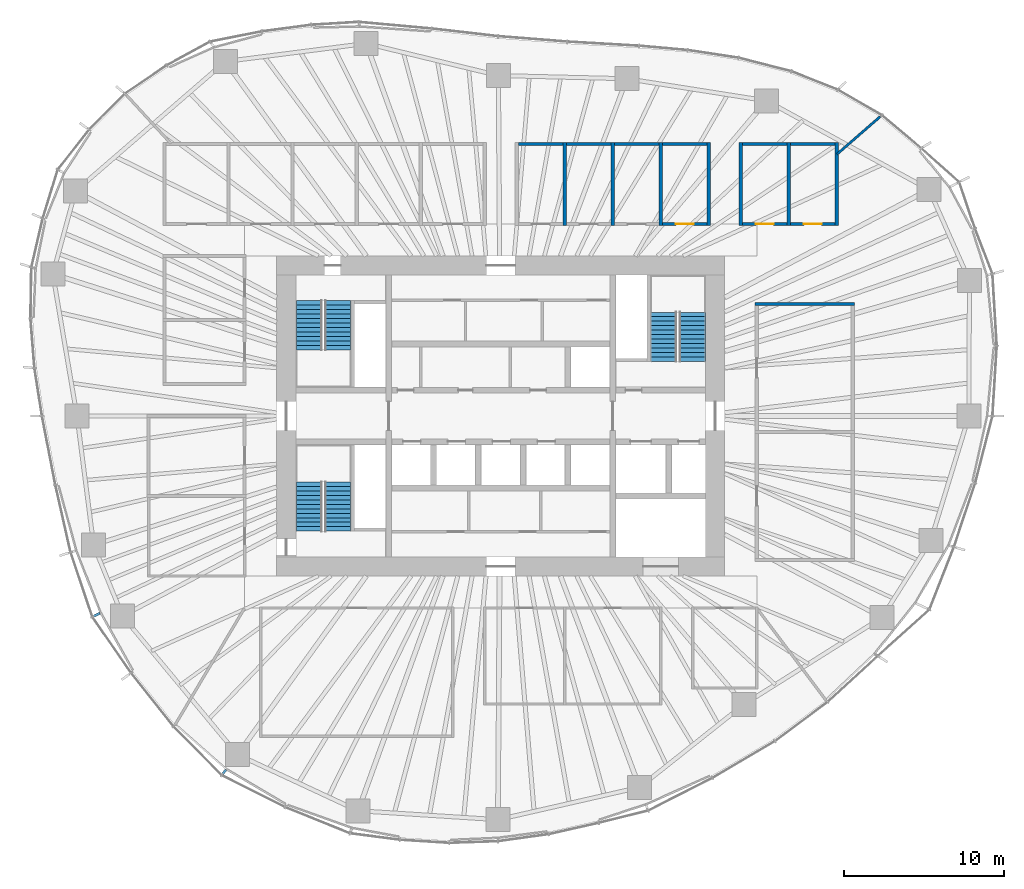
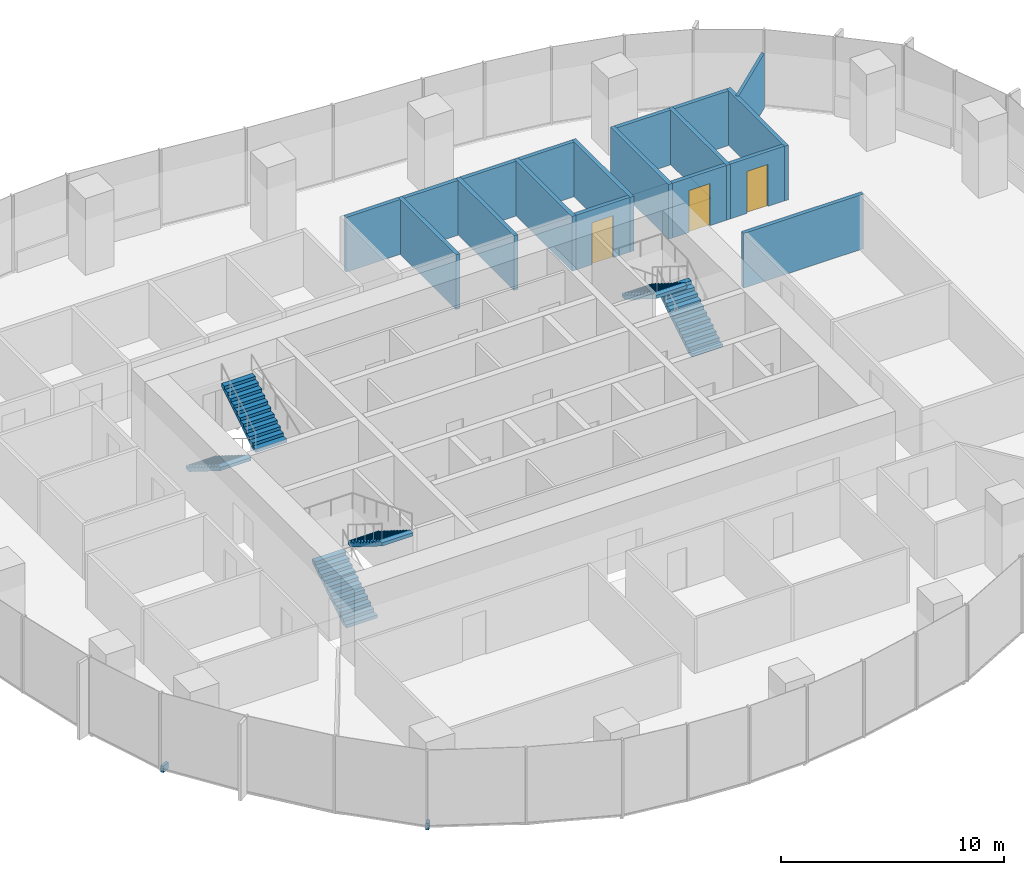
# One storey, part 11 of 18: 18 walls, 6 stair flights, 3 doors, 2 discrete accessories, 3 openings, 3 elements without a shape of their own.
"""IFC4 building model written with IfcOpenShell, lengths in metres."""

from ifc_helpers import new_model, si_unit, direction, frame, frame_2d, origin, origin_2d, place, context, subcontext, project, spatial, polyline, rectangle, outline, extrude, material, layer, layer_set, type_object, element, fill, aggregate, save


model = new_model("IFC4")

# Units and contexts
model_context = context("Model", 3, precision=1e-05, world=origin(), true_north=direction((0.0, 1.0)))
body_context = subcontext(model_context, "Body", "Model", "MODEL_VIEW")
ifc_project = project(units=[si_unit("LENGTHUNIT", "METRE"), si_unit("AREAUNIT", "SQUARE_METRE"), si_unit("VOLUMEUNIT", "CUBIC_METRE"), si_unit("PLANEANGLEUNIT", "RADIAN"), si_unit("MASSUNIT", "GRAM", prefix="KILO")], contexts=[model_context])

# Site, building, storey
site_placement = place(None, origin())
site = spatial("IfcSite", under=ifc_project, at=site_placement, CompositionType="ELEMENT")
building_placement = place(site_placement, origin())
building = spatial("IfcBuilding", under=site, at=building_placement, Name="Ghaith Harvest Tower", CompositionType="ELEMENT")
storey_placement = place(building_placement, frame((0.0, 0.0, 142.800048828125)))
storey = spatial("IfcBuildingStorey", under=building, at=storey_placement, Name="L30", CompositionType="ELEMENT", Elevation=142.800048828125)

# Walls
ifc_material_1 = material(Name="Twin-stud gypsum board, acoustic", Category="gypsum")
ifc_layer_1 = layer(ifc_material_1, 0.199951171875)
ifc_layer_set_1 = layer_set([ifc_layer_1], Name="ACOUSTIC PARTITION 200")
wall_type_1 = type_object("IfcWallType", Name="ACOUSTIC PARTITION 200", PredefinedType="PARTITIONING", material=ifc_layer_set_1)
for number, where, z_axis, x_axis, name in (
    (1, (4.0, 11.89990234375, 0.0), (0.0, 0.0, 1.0), (0.0, 1.0, 0.0), "Partition L30 row N4 cross wall 2"),
    (2, (7.0, 11.89990234375, 0.0), (0.0, 0.0, 1.0), (0.0, 1.0, 0.0), "Partition L30 row N4 cross wall 3"),
    (3, (10.0, 11.89990234375, 0.0), (0.0, 0.0, 1.0), (0.0, 1.0, 0.0), "Partition L30 row N4 cross wall 4"),
    (4, (13.0, 11.89990234375, 0.0), (0.0, 0.0, 1.0), (0.0, 1.0, 0.0), "Partition L30 row N4 cross wall 5"),
):
    element("IfcWall", number, at=place(storey_placement, frame(where, z_axis=z_axis, x_axis=x_axis)), inside=storey, type_object=wall_type_1, Name=name, PredefinedType="PARTITIONING", context=body_context, shape_type="SweptSolid", body=[
        extrude(rectangle(XDim=5.2001953125, YDim=0.199951171875, at=frame_2d((2.60009765625, 0.0))), origin(), (0.0, 0.0, 1.0), 3.0),
    ])
for number, where, z_axis, x_axis, name in (
    (5, (1.10009765625, 17.0, 0.0), (0.0, 0.0, 1.0), (1.0, 0.0, 0.0), "Partition L30-09"),
    (6, (4.10009765625, 17.0, 0.0), (0.0, 0.0, 1.0), (1.0, 0.0, 0.0), "Partition L30-10"),
    (7, (7.10009765625, 17.0, 0.0), (0.0, 0.0, 1.0), (1.0, 0.0, 0.0), "Partition L30-11"),
):
    element("IfcWall", number, at=place(storey_placement, frame(where, z_axis=z_axis, x_axis=x_axis)), inside=storey, type_object=wall_type_1, Name=name, PredefinedType="PARTITIONING", context=body_context, shape_type="SweptSolid", body=[
        extrude(rectangle(XDim=2.7998046875, YDim=0.199951171875, at=frame_2d((1.39990234375, 0.0))), origin(), (0.0, 0.0, 1.0), 3.0),
    ])

# Wall, opening, door
wall_1_placement = place(storey_placement, frame((10.10009765625, 12.0, 0.0), z_axis=(0.0, 0.0, 1.0), x_axis=(1.0, 0.0, 0.0)))
wall_1 = element("IfcWall", 8, at=wall_1_placement, inside=storey, type_object=wall_type_1, Name="Partition L30-12", PredefinedType="PARTITIONING", context=body_context, shape_type="SweptSolid", body=[
    extrude(rectangle(XDim=2.7998046875, YDim=0.199951171875, at=frame_2d((1.39990234375, 0.0))), origin(), (0.0, 0.0, 1.0), 3.0),
])
opening_1_placement = place(wall_1_placement, frame((0.85009765625, 0.0, 0.0)))
opening_1 = element("IfcOpeningElement", 9, at=opening_1_placement, cuts=wall_1, Name="Opening 30-037", PredefinedType="OPENING", context=body_context, shape_type="SweptSolid", body=[
    extrude(rectangle(XDim=1.10009765625, YDim=2.300048828125, at=frame_2d((0.550048828125, 1.14990234375))), frame((0.0, 0.10986328125, 0.0), z_axis=(0.0, -1.0, 0.0), x_axis=(1.0, 0.0, 0.0)), (0.0, 0.0, 1.0), 0.219970703125),
])
ifc_material_2 = material(Name="Timber-framed glazed door", Category="wood")
door_type = type_object("IfcDoorType", Name="D12 GLAZED OFFICE 1100x2300", OperationType="SINGLE_SWING_LEFT", PredefinedType="DOOR", material=ifc_material_2)
door_1_placement = place(opening_1_placement, origin())
door_1 = element("IfcDoor", 10, at=door_1_placement, inside=storey, type_object=door_type, Name="Focus room door", OperationType="SINGLE_SWING_LEFT", OverallHeight=2.300048828125, OverallWidth=1.10009765625, PredefinedType="DOOR", context=body_context, shape_type="SweptSolid", body=[
    extrude(rectangle(XDim=1.10009765625, YDim=2.300048828125, at=frame_2d((0.550048828125, 1.14990234375))), frame((0.0, 0.02490234375, 0.0), z_axis=(0.0, -1.0, 0.0), x_axis=(1.0, 0.0, 0.0)), (0.0, 0.0, 1.0), 0.050048828125),
])
fill(opening_1, door_1)

# Walls
wall_2_placement = place(storey_placement, frame((10.10009765625, 17.0, 0.0), z_axis=(0.0, 0.0, 1.0), x_axis=(1.0, 0.0, 0.0)))
element("IfcWall", 11, at=wall_2_placement, inside=storey, type_object=wall_type_1, Name="Partition L30-12", PredefinedType="PARTITIONING", context=body_context, shape_type="SweptSolid", body=[
    extrude(rectangle(XDim=2.7998046875, YDim=0.199951171875, at=frame_2d((1.39990234375, 0.0))), origin(), (0.0, 0.0, 1.0), 3.0),
])
wall_3_placement = place(storey_placement, frame((15.89990234375, 7.0, 0.0), z_axis=(0.0, 0.0, 1.0), x_axis=(1.0, 0.0, 0.0)))
element("IfcWall", 12, at=wall_3_placement, inside=storey, type_object=wall_type_1, Name="Partition L30 row E5 cross wall 3", PredefinedType="PARTITIONING", context=body_context, shape_type="SweptSolid", body=[
    extrude(rectangle(XDim=6.2001953125, YDim=0.199951171875, at=frame_2d((3.10009765625, 0.0))), origin(), (0.0, 0.0, 1.0), 3.0),
])
for number, where, z_axis, x_axis, name in (
    (13, (15.0, 11.89990234375, 0.0), (0.0, 0.0, 1.0), (0.0, 1.0, 0.0), "Partition L30 row N7 cross wall 1"),
    (14, (18.0, 11.89990234375, 0.0), (0.0, 0.0, 1.0), (0.0, 1.0, 0.0), "Partition L30 row N7 cross wall 2"),
    (15, (21.0, 11.89990234375, 0.0), (0.0, 0.0, 1.0), (0.0, 1.0, 0.0), "Partition L30 row N7 cross wall 3"),
):
    element("IfcWall", number, at=place(storey_placement, frame(where, z_axis=z_axis, x_axis=x_axis)), inside=storey, type_object=wall_type_1, Name=name, PredefinedType="PARTITIONING", context=body_context, shape_type="SweptSolid", body=[
        extrude(rectangle(XDim=5.2001953125, YDim=0.199951171875, at=frame_2d((2.60009765625, 0.0))), origin(), (0.0, 0.0, 1.0), 3.0),
    ])

# Wall, opening, door
wall_4_placement = place(storey_placement, frame((15.10009765625, 12.0, 0.0), z_axis=(0.0, 0.0, 1.0), x_axis=(1.0, 0.0, 0.0)))
wall_4 = element("IfcWall", 16, at=wall_4_placement, inside=storey, type_object=wall_type_1, Name="Partition L30-17", PredefinedType="PARTITIONING", context=body_context, shape_type="SweptSolid", body=[
    extrude(rectangle(XDim=2.7998046875, YDim=0.199951171875, at=frame_2d((1.39990234375, 0.0))), origin(), (0.0, 0.0, 1.0), 3.0),
])
opening_2_placement = place(wall_4_placement, frame((0.85009765625, 0.0, 0.0)))
opening_2 = element("IfcOpeningElement", 17, at=opening_2_placement, cuts=wall_4, Name="Opening 30-042", PredefinedType="OPENING", context=body_context, shape_type="SweptSolid", body=[
    extrude(rectangle(XDim=1.10009765625, YDim=2.300048828125, at=frame_2d((0.550048828125, 1.14990234375))), frame((0.0, 0.10986328125, 0.0), z_axis=(0.0, -1.0, 0.0), x_axis=(1.0, 0.0, 0.0)), (0.0, 0.0, 1.0), 0.219970703125),
])
door_2_placement = place(opening_2_placement, origin())
door_2 = element("IfcDoor", 18, at=door_2_placement, inside=storey, type_object=door_type, Name="Focus room door", OperationType="SINGLE_SWING_LEFT", OverallHeight=2.300048828125, OverallWidth=1.10009765625, PredefinedType="DOOR", context=body_context, shape_type="SweptSolid", body=[
    extrude(rectangle(XDim=1.10009765625, YDim=2.300048828125, at=frame_2d((0.550048828125, 1.14990234375))), frame((0.0, 0.02490234375, 0.0), z_axis=(0.0, -1.0, 0.0), x_axis=(1.0, 0.0, 0.0)), (0.0, 0.0, 1.0), 0.050048828125),
])
fill(opening_2, door_2)

# Wall
wall_5_placement = place(storey_placement, frame((15.10009765625, 17.0, 0.0), z_axis=(0.0, 0.0, 1.0), x_axis=(1.0, 0.0, 0.0)))
element("IfcWall", 19, at=wall_5_placement, inside=storey, type_object=wall_type_1, Name="Partition L30-17", PredefinedType="PARTITIONING", context=body_context, shape_type="SweptSolid", body=[
    extrude(rectangle(XDim=2.7998046875, YDim=0.199951171875, at=frame_2d((1.39990234375, 0.0))), origin(), (0.0, 0.0, 1.0), 3.0),
])

# Wall, opening, door
wall_6_placement = place(storey_placement, frame((18.10009765625, 12.0, 0.0), z_axis=(0.0, 0.0, 1.0), x_axis=(1.0, 0.0, 0.0)))
wall_6 = element("IfcWall", 20, at=wall_6_placement, inside=storey, type_object=wall_type_1, Name="Partition L30-18", PredefinedType="PARTITIONING", context=body_context, shape_type="SweptSolid", body=[
    extrude(rectangle(XDim=2.7998046875, YDim=0.199951171875, at=frame_2d((1.39990234375, 0.0))), origin(), (0.0, 0.0, 1.0), 3.0),
])
opening_3_placement = place(wall_6_placement, frame((0.85009765625, 0.0, 0.0)))
opening_3 = element("IfcOpeningElement", 21, at=opening_3_placement, cuts=wall_6, Name="Opening 30-043", PredefinedType="OPENING", context=body_context, shape_type="SweptSolid", body=[
    extrude(rectangle(XDim=1.10009765625, YDim=2.300048828125, at=frame_2d((0.550048828125, 1.14990234375))), frame((0.0, 0.10986328125, 0.0), z_axis=(0.0, -1.0, 0.0), x_axis=(1.0, 0.0, 0.0)), (0.0, 0.0, 1.0), 0.219970703125),
])
door_3_placement = place(opening_3_placement, origin())
door_3 = element("IfcDoor", 22, at=door_3_placement, inside=storey, type_object=door_type, Name="Focus room door", OperationType="SINGLE_SWING_LEFT", OverallHeight=2.300048828125, OverallWidth=1.10009765625, PredefinedType="DOOR", context=body_context, shape_type="SweptSolid", body=[
    extrude(rectangle(XDim=1.10009765625, YDim=2.300048828125, at=frame_2d((0.550048828125, 1.14990234375))), frame((0.0, 0.02490234375, 0.0), z_axis=(0.0, -1.0, 0.0), x_axis=(1.0, 0.0, 0.0)), (0.0, 0.0, 1.0), 0.050048828125),
])
fill(opening_3, door_3)

# Walls
wall_7_placement = place(storey_placement, frame((18.10009765625, 17.0, 0.0), z_axis=(0.0, 0.0, 1.0), x_axis=(1.0, 0.0, 0.0)))
element("IfcWall", 23, at=wall_7_placement, inside=storey, type_object=wall_type_1, Name="Partition L30-18", PredefinedType="PARTITIONING", context=body_context, shape_type="SweptSolid", body=[
    extrude(rectangle(XDim=2.7998046875, YDim=0.199951171875, at=frame_2d((1.39990234375, 0.0))), origin(), (0.0, 0.0, 1.0), 3.0),
])
ifc_material_3 = material(Name="Gypsum board on steel studs", Category="steel")
ifc_layer_2 = layer(ifc_material_3, 0.14990234375)
ifc_layer_set_2 = layer_set([ifc_layer_2], Name="PARTITION 150")
wall_type_2 = type_object("IfcWallType", Name="PARTITION 150", PredefinedType="PARTITIONING", material=ifc_layer_set_2)
wall_8_placement = place(storey_placement, frame((21.02001953125, 16.364013671875, 0.0), z_axis=(0.0, 0.0, 1.0), x_axis=(0.75467183248, 0.656102450278, 0.0)))
element("IfcWall", 24, at=wall_8_placement, inside=storey, type_object=wall_type_2, Name="Partition L30 zone division", PredefinedType="PARTITIONING", context=body_context, shape_type="SweptSolid", body=[
    extrude(rectangle(XDim=3.566650390625, YDim=0.14990234375, at=frame_2d((1.783203125, 0.0))), origin(), (0.0, 0.0, 1.0), 3.0),
])

# Stair, stair flights
ifc_material_4 = material(Name="Concrete C40/50, precast", Category="concrete")
stair_type = type_object("IfcStairType", Name="CORE STAIR 24R", PredefinedType="HALF_TURN_STAIR", material=ifc_material_4)
stair_1_placement = place(storey_placement, origin())
stair_1 = element("IfcStair", 25, at=stair_1_placement, inside=storey, type_object=stair_type, Name="Stair ST1 L30", PredefinedType="HALF_TURN_STAIR")
ifc_material_5 = material(Name="Concrete C40/50, precast", Category="concrete")
stair_flight_type = type_object("IfcStairFlightType", Name="CORE FLIGHT 12R 1600", PredefinedType="STRAIGHT", material=ifc_material_5)
stair_flight_1_placement = place(storey_placement, frame((-12.0, 7.199951171875, 0.0), z_axis=(0.0, 0.0, 1.0), x_axis=(0.0, -1.0, 0.0)))
stair_flight_1 = element("IfcStairFlight", 26, at=stair_flight_1_placement, type_object=stair_flight_type, Name="ST1 flight 1", NumberOfRisers=12, NumberOfTreads=11, PredefinedType="STRAIGHT", RiserHeight=0.175, TreadLength=0.28, context=body_context, shape_type="SweptSolid", body=[
    extrude(outline(polyline([(0.0, 0.0), (0.0, 0.175048828125), (0.280029296875, 0.175048828125), (0.280029296875, 0.35009765625), (0.56005859375, 0.35009765625), (0.56005859375, 0.52490234375), (0.840087890625, 0.52490234375), (0.840087890625, 0.699951171875), (1.1201171875, 0.699951171875), (1.1201171875, 0.875), (1.39990234375, 0.875), (1.39990234375, 1.050048828125), (1.679931640625, 1.050048828125), (1.679931640625, 1.22509765625), (1.9599609375, 1.22509765625), (1.9599609375, 1.39990234375), (2.239990234375, 1.39990234375), (2.239990234375, 1.574951171875), (2.52001953125, 1.574951171875), (2.52001953125, 1.75), (2.800048828125, 1.75), (2.800048828125, 1.925048828125), (3.080078125, 1.925048828125), (3.080078125, 2.10009765625), (3.080078125, 1.748291015625), (0.28271484375, 0.0), (0.0, 0.0)])), frame((0.0, 0.800048828125, 0.0), z_axis=(0.0, -1.0, 0.0), x_axis=(1.0, 0.0, 0.0)), (0.0, 0.0, 1.0), 1.60009765625),
])
stair_flight_2_placement = place(storey_placement, frame((-10.14990234375, 4.1201171875, 2.099853515625), z_axis=(0.0, 0.0, 1.0), x_axis=(0.0, 1.0, 0.0)))
stair_flight_2 = element("IfcStairFlight", 27, at=stair_flight_2_placement, type_object=stair_flight_type, Name="ST1 flight 2", NumberOfRisers=12, NumberOfTreads=11, PredefinedType="STRAIGHT", RiserHeight=0.175, TreadLength=0.28, context=body_context, shape_type="SweptSolid", body=[
    extrude(outline(polyline([(0.0, 0.0), (0.0, 0.175048828125), (0.280029296875, 0.175048828125), (0.280029296875, 0.35009765625), (0.56005859375, 0.35009765625), (0.56005859375, 0.52490234375), (0.840087890625, 0.52490234375), (0.840087890625, 0.699951171875), (1.1201171875, 0.699951171875), (1.1201171875, 0.875), (1.39990234375, 0.875), (1.39990234375, 1.050048828125), (1.679931640625, 1.050048828125), (1.679931640625, 1.22509765625), (1.9599609375, 1.22509765625), (1.9599609375, 1.39990234375), (2.239990234375, 1.39990234375), (2.239990234375, 1.574951171875), (2.52001953125, 1.574951171875), (2.52001953125, 1.75), (2.800048828125, 1.75), (2.800048828125, 1.925048828125), (3.080078125, 1.925048828125), (3.080078125, 2.10009765625), (3.080078125, 1.748291015625), (0.28271484375, 0.0), (0.0, 0.0)])), frame((0.0, 0.800048828125, 0.0), z_axis=(0.0, -1.0, 0.0), x_axis=(1.0, 0.0, 0.0)), (0.0, 0.0, 1.0), 1.60009765625),
])
aggregate(stair_1, [stair_flight_1, stair_flight_2])

stair_2_placement = place(storey_placement, origin())
stair_2 = element("IfcStair", 28, at=stair_2_placement, inside=storey, type_object=stair_type, Name="Stair ST3 L30", PredefinedType="HALF_TURN_STAIR")
stair_flight_3_placement = place(storey_placement, frame((-12.0, -7.199951171875, 0.0), z_axis=(0.0, 0.0, 1.0), x_axis=(0.0, 1.0, 0.0)))
stair_flight_3 = element("IfcStairFlight", 29, at=stair_flight_3_placement, type_object=stair_flight_type, Name="ST3 flight 1", NumberOfRisers=12, NumberOfTreads=11, PredefinedType="STRAIGHT", RiserHeight=0.175, TreadLength=0.28, context=body_context, shape_type="SweptSolid", body=[
    extrude(outline(polyline([(0.0, 0.0), (0.0, 0.175048828125), (0.280029296875, 0.175048828125), (0.280029296875, 0.35009765625), (0.56005859375, 0.35009765625), (0.56005859375, 0.52490234375), (0.840087890625, 0.52490234375), (0.840087890625, 0.699951171875), (1.1201171875, 0.699951171875), (1.1201171875, 0.875), (1.39990234375, 0.875), (1.39990234375, 1.050048828125), (1.679931640625, 1.050048828125), (1.679931640625, 1.22509765625), (1.9599609375, 1.22509765625), (1.9599609375, 1.39990234375), (2.239990234375, 1.39990234375), (2.239990234375, 1.574951171875), (2.52001953125, 1.574951171875), (2.52001953125, 1.75), (2.800048828125, 1.75), (2.800048828125, 1.925048828125), (3.080078125, 1.925048828125), (3.080078125, 2.10009765625), (3.080078125, 1.748291015625), (0.28271484375, 0.0), (0.0, 0.0)])), frame((0.0, 0.800048828125, 0.0), z_axis=(0.0, -1.0, 0.0), x_axis=(1.0, 0.0, 0.0)), (0.0, 0.0, 1.0), 1.60009765625),
])
stair_flight_4_placement = place(storey_placement, frame((-10.14990234375, -4.1201171875, 2.099853515625), z_axis=(0.0, 0.0, 1.0), x_axis=(0.0, -1.0, 0.0)))
stair_flight_4 = element("IfcStairFlight", 30, at=stair_flight_4_placement, type_object=stair_flight_type, Name="ST3 flight 2", NumberOfRisers=12, NumberOfTreads=11, PredefinedType="STRAIGHT", RiserHeight=0.175, TreadLength=0.28, context=body_context, shape_type="SweptSolid", body=[
    extrude(outline(polyline([(0.0, 0.0), (0.0, 0.175048828125), (0.280029296875, 0.175048828125), (0.280029296875, 0.35009765625), (0.56005859375, 0.35009765625), (0.56005859375, 0.52490234375), (0.840087890625, 0.52490234375), (0.840087890625, 0.699951171875), (1.1201171875, 0.699951171875), (1.1201171875, 0.875), (1.39990234375, 0.875), (1.39990234375, 1.050048828125), (1.679931640625, 1.050048828125), (1.679931640625, 1.22509765625), (1.9599609375, 1.22509765625), (1.9599609375, 1.39990234375), (2.239990234375, 1.39990234375), (2.239990234375, 1.574951171875), (2.52001953125, 1.574951171875), (2.52001953125, 1.75), (2.800048828125, 1.75), (2.800048828125, 1.925048828125), (3.080078125, 1.925048828125), (3.080078125, 2.10009765625), (3.080078125, 1.748291015625), (0.28271484375, 0.0), (0.0, 0.0)])), frame((0.0, 0.800048828125, 0.0), z_axis=(0.0, -1.0, 0.0), x_axis=(1.0, 0.0, 0.0)), (0.0, 0.0, 1.0), 1.60009765625),
])
aggregate(stair_2, [stair_flight_3, stair_flight_4])

stair_3_placement = place(storey_placement, origin())
stair_3 = element("IfcStair", 31, at=stair_3_placement, inside=storey, type_object=stair_type, Name="Stair ST2 L30", PredefinedType="HALF_TURN_STAIR")
stair_flight_5_placement = place(storey_placement, frame((12.0, 3.39990234375, 0.0), z_axis=(0.0, 0.0, 1.0), x_axis=(0.0, 1.0, 0.0)))
stair_flight_5 = element("IfcStairFlight", 32, at=stair_flight_5_placement, type_object=stair_flight_type, Name="ST2 flight 1", NumberOfRisers=12, NumberOfTreads=11, PredefinedType="STRAIGHT", RiserHeight=0.175, TreadLength=0.28, context=body_context, shape_type="SweptSolid", body=[
    extrude(outline(polyline([(0.0, 0.0), (0.0, 0.175048828125), (0.280029296875, 0.175048828125), (0.280029296875, 0.35009765625), (0.56005859375, 0.35009765625), (0.56005859375, 0.52490234375), (0.840087890625, 0.52490234375), (0.840087890625, 0.699951171875), (1.1201171875, 0.699951171875), (1.1201171875, 0.875), (1.39990234375, 0.875), (1.39990234375, 1.050048828125), (1.679931640625, 1.050048828125), (1.679931640625, 1.22509765625), (1.9599609375, 1.22509765625), (1.9599609375, 1.39990234375), (2.239990234375, 1.39990234375), (2.239990234375, 1.574951171875), (2.52001953125, 1.574951171875), (2.52001953125, 1.75), (2.800048828125, 1.75), (2.800048828125, 1.925048828125), (3.080078125, 1.925048828125), (3.080078125, 2.10009765625), (3.080078125, 1.748291015625), (0.28271484375, 0.0), (0.0, 0.0)])), frame((0.0, 0.800048828125, 0.0), z_axis=(0.0, -1.0, 0.0), x_axis=(1.0, 0.0, 0.0)), (0.0, 0.0, 1.0), 1.60009765625),
])
stair_flight_6_placement = place(storey_placement, frame((10.14990234375, 6.47998046875, 2.099853515625), z_axis=(0.0, 0.0, 1.0), x_axis=(0.0, -1.0, 0.0)))
stair_flight_6 = element("IfcStairFlight", 33, at=stair_flight_6_placement, type_object=stair_flight_type, Name="ST2 flight 2", NumberOfRisers=12, NumberOfTreads=11, PredefinedType="STRAIGHT", RiserHeight=0.175, TreadLength=0.28, context=body_context, shape_type="SweptSolid", body=[
    extrude(outline(polyline([(0.0, 0.0), (0.0, 0.175048828125), (0.280029296875, 0.175048828125), (0.280029296875, 0.35009765625), (0.56005859375, 0.35009765625), (0.56005859375, 0.52490234375), (0.840087890625, 0.52490234375), (0.840087890625, 0.699951171875), (1.1201171875, 0.699951171875), (1.1201171875, 0.875), (1.39990234375, 0.875), (1.39990234375, 1.050048828125), (1.679931640625, 1.050048828125), (1.679931640625, 1.22509765625), (1.9599609375, 1.22509765625), (1.9599609375, 1.39990234375), (2.239990234375, 1.39990234375), (2.239990234375, 1.574951171875), (2.52001953125, 1.574951171875), (2.52001953125, 1.75), (2.800048828125, 1.75), (2.800048828125, 1.925048828125), (3.080078125, 1.925048828125), (3.080078125, 2.10009765625), (3.080078125, 1.748291015625), (0.28271484375, 0.0), (0.0, 0.0)])), frame((0.0, 0.800048828125, 0.0), z_axis=(0.0, -1.0, 0.0), x_axis=(1.0, 0.0, 0.0)), (0.0, 0.0, 1.0), 1.60009765625),
])
aggregate(stair_3, [stair_flight_5, stair_flight_6])

# Discrete accessories
ifc_material_6 = material(Name="Stainless steel grade 1.4401", Category="steel")
discrete_accessory_type_1 = type_object("IfcDiscreteAccessoryType", Name="CURTAIN WALL BRACKET 315", PredefinedType="BRACKET", material=ifc_material_6)
discrete_accessory_1_placement = place(storey_placement, frame((-17.266357421875, -22.232421875, -0.25), z_axis=(0.0, 0.0, 1.0), x_axis=(-0.613377713774, -0.789789706343, 0.0)))
element("IfcDiscreteAccessory", 34, at=discrete_accessory_1_placement, inside=storey, type_object=discrete_accessory_type_1, Name="CW-L bracket 1 bay 14 L30", PredefinedType="BRACKET", context=body_context, shape_type="SweptSolid", body=[
    extrude(rectangle(XDim=0.31494140625, YDim=0.14990234375, at=origin_2d()), origin(), (0.0, 0.0, 1.0), 0.35009765625),
])
ifc_material_7 = material(Name="Stainless steel grade 1.4401", Category="steel")
discrete_accessory_type_2 = type_object("IfcDiscreteAccessoryType", Name="CURTAIN WALL BRACKET 415", PredefinedType="BRACKET", material=ifc_material_7)
discrete_accessory_2_placement = place(storey_placement, frame((-25.228515625, -12.41796875, -0.25), z_axis=(0.0, 0.0, 1.0), x_axis=(-0.897201221415, -0.441621974421, 0.0)))
element("IfcDiscreteAccessory", 35, at=discrete_accessory_2_placement, inside=storey, type_object=discrete_accessory_type_2, Name="CW-L bracket 2 bay 12 L30", PredefinedType="BRACKET", context=body_context, shape_type="SweptSolid", body=[
    extrude(rectangle(XDim=0.4150390625, YDim=0.14990234375, at=origin_2d()), origin(), (0.0, 0.0, 1.0), 0.35009765625),
])

save(model, "model.ifc")
